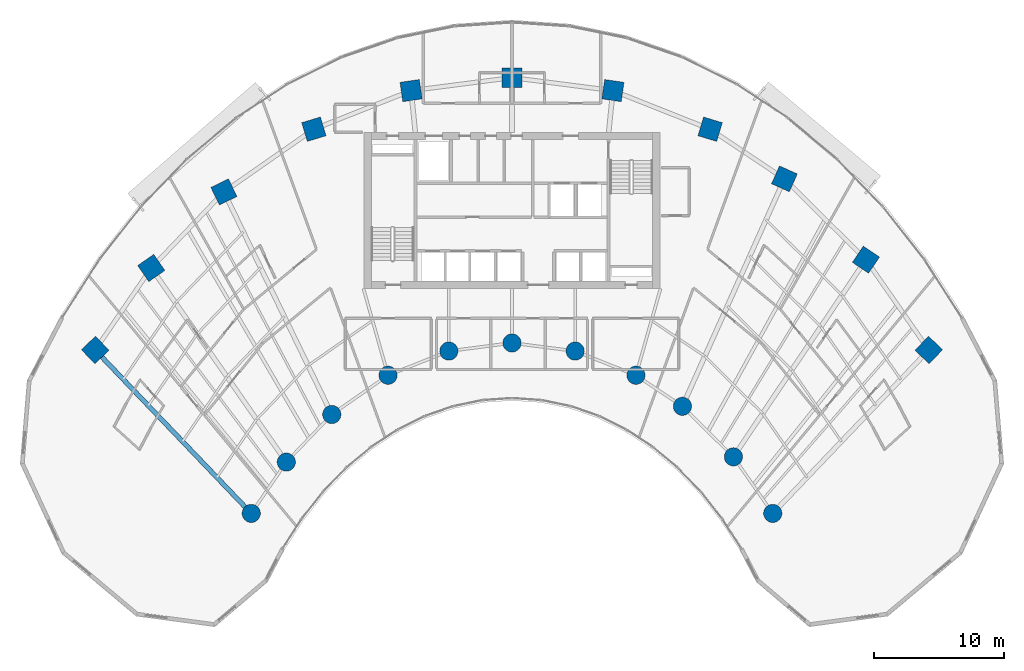
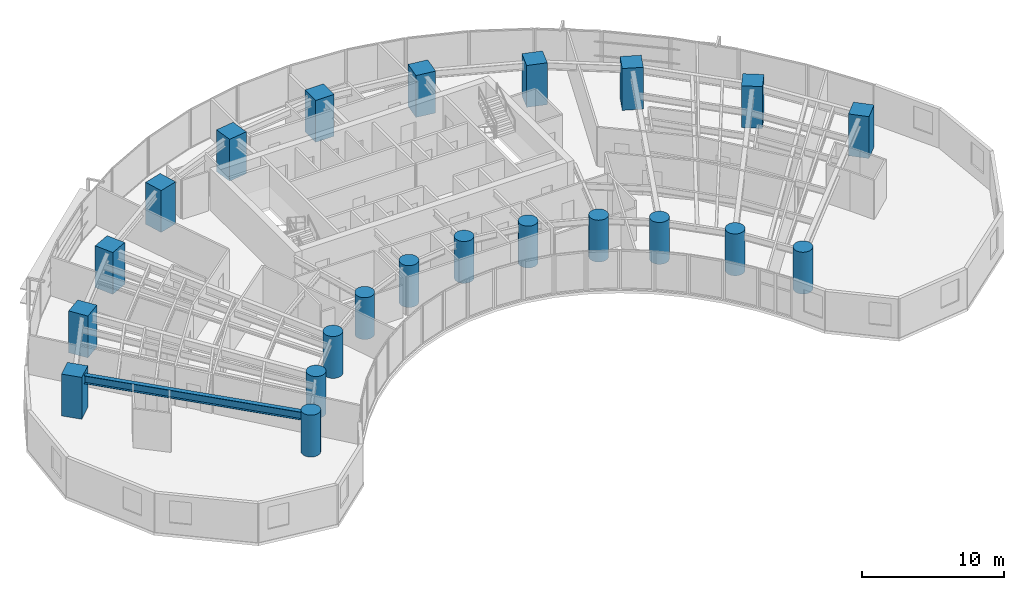
# One storey, part 1 of 17: 22 columns, 1 beam.
"""IFC4 building model written with IfcOpenShell, lengths in metres."""

from ifc_helpers import new_model, si_unit, direction, frame, origin, origin_2d, place, context, subcontext, project, spatial, rectangle, circle, i_section, extrude, source, transform, mapped, material, material_profile, profile_set, type_object, type_shapes, element, save


model = new_model("IFC4")

# Units and contexts
model_context = context("Model", 3, precision=1e-05, world=origin(), true_north=direction((0.0, 1.0)))
body_context = subcontext(model_context, "Body", "Model", "MODEL_VIEW")
ifc_project = project(units=[si_unit("LENGTHUNIT", "METRE"), si_unit("AREAUNIT", "SQUARE_METRE"), si_unit("VOLUMEUNIT", "CUBIC_METRE"), si_unit("PLANEANGLEUNIT", "RADIAN"), si_unit("MASSUNIT", "GRAM", prefix="KILO")], contexts=[model_context])

# Site, building, storey
site_placement = place(None, origin())
site = spatial("IfcSite", under=ifc_project, at=site_placement, CompositionType="ELEMENT")
building_placement = place(site_placement, origin())
building = spatial("IfcBuilding", under=site, at=building_placement, Name="Breltana Convention Tower", CompositionType="ELEMENT")
storey_placement = place(building_placement, frame((0.0, 0.0, 53.39990234375)))
storey = spatial("IfcBuildingStorey", under=building, at=storey_placement, Name="L11", CompositionType="ELEMENT", Elevation=53.39990234375)

# Columns
ifc_material_1 = material(Name="Concrete C60/75", Category="concrete")
ifc_material_profile_1 = material_profile(ifc_material_1, circle(Radius=0.699951171875, at=origin_2d()), Name="RC-COL-D1400")
ifc_profile_set_1 = profile_set([ifc_material_profile_1], Name="Concrete C60/75")
column_type_1 = type_object("IfcColumnType", Name="COL-RC-D1400", PredefinedType="COLUMN", material=ifc_profile_set_1)
shared_shape_1 = source(origin(), body_context, "Body", "SweptSolid", [
    extrude(circle(Radius=0.699951171875, at=origin_2d()), origin(), (0.0, 0.0, 1.0), 3.60009765625),
])
for number, where, z_axis, x_axis, name in (
    (1, (27.984619140625, 42.95458984375, 0.0), (0.0, 0.0, 1.0), (-0.690756218984, 0.723087716626, 0.0), "L11 Tower Column R01-IN"),
    (2, (30.67724609375, 46.892333984375, 0.0), (0.0, 0.0, 1.0), (-0.571143442153, 0.820850271661, 0.0), "L11 Tower Column R02-IN"),
    (3, (34.166259765625, 50.544921875, 0.0), (0.0, 0.0, 1.0), (-0.436173672171, 0.899862504889, 0.0), "L11 Tower Column R03-IN"),
    (4, (38.485107421875, 53.5576171875, 0.0), (0.0, 0.0, 1.0), (-0.288697611798, 0.957420330337, 0.0), "L11 Tower Column R04-IN"),
    (5, (43.153564453125, 55.41064453125, 0.0), (0.0, 0.0, 1.0), (-0.143492621991, 0.98965138682, 0.0), "L11 Tower Column R05-IN"),
    (6, (48.0, 56.035888671875, 0.0), (0.0, 0.0, 1.0), (0.0, 1.0, 0.0), "L11 Tower Column R06-IN"),
    (7, (52.846435546875, 55.41064453125, 0.0), (0.0, 0.0, 1.0), (0.143492621991, 0.98965138682, 0.0), "L11 Tower Column R07-IN"),
    (8, (57.514892578125, 53.5576171875, 0.0), (0.0, 0.0, 1.0), (0.288697611798, 0.957420330337, 0.0), "L11 Tower Column R08-IN"),
    (9, (61.08203125, 51.174560546875, 0.0), (0.0, 0.0, 1.0), (0.409126902895, 0.912477494148, 0.0), "L11 Tower Column R09-IN"),
    (10, (64.995849609375, 47.293701171875, 0.0), (0.0, 0.0, 1.0), (0.55774510898, 0.830012285095, 0.0), "L11 Tower Column R10-IN"),
    (11, (68.015380859375, 42.95458984375, 0.0), (0.0, 0.0, 1.0), (0.690756218984, 0.723087716626, 0.0), "L11 Tower Column R11-IN"),
):
    element("IfcColumn", number, at=place(storey_placement, frame(where, z_axis=z_axis, x_axis=x_axis)), inside=storey, type_object=column_type_1, Name=name, PredefinedType="COLUMN", context=body_context, shape_type="MappedRepresentation", body=[
        mapped(shared_shape_1, transform((0.0, 0.0, 0.0), scale=1.0)),
    ])
ifc_material_profile_2 = material_profile(ifc_material_1, rectangle(XDim=1.5, YDim=1.5, at=origin_2d()), Name="RC-COL-1500X1500")
ifc_profile_set_2 = profile_set([ifc_material_profile_2], Name="Concrete C60/75")
column_type_2 = type_object("IfcColumnType", Name="COL-RC-1500", PredefinedType="COLUMN", material=ifc_profile_set_2)
shared_shape_2 = source(origin(), body_context, "Body", "SweptSolid", [
    extrude(rectangle(XDim=1.5, YDim=1.5, at=origin_2d()), origin(), (0.0, 0.0, 1.0), 3.60009765625),
])
for number, where, z_axis, x_axis, name in (
    (12, (16.0068359375, 55.494384765625, 0.0), (0.0, 0.0, 1.0), (-0.690756218984, 0.723087716626, 0.0), "L11 Tower Column R01-OUT"),
    (13, (20.310791015625, 61.78857421875, 0.0), (0.0, 0.0, 1.0), (-0.571143442153, 0.820850271661, 0.0), "L11 Tower Column R02-OUT"),
    (14, (25.8876953125, 67.626953125, 0.0), (0.0, 0.0, 1.0), (-0.436173672171, 0.899862504889, 0.0), "L11 Tower Column R03-OUT"),
    (15, (32.791015625, 72.4423828125, 0.0), (0.0, 0.0, 1.0), (-0.288697611798, 0.957420330337, 0.0), "L11 Tower Column R04-OUT"),
    (16, (40.253173828125, 75.404296875, 0.0), (0.0, 0.0, 1.0), (-0.143492621991, 0.98965138682, 0.0), "L11 Tower Column R05-OUT"),
    (17, (48.0, 76.404052734375, 0.0), (0.0, 0.0, 1.0), (0.0, 1.0, 0.0), "L11 Tower Column R06-OUT"),
    (18, (55.746826171875, 75.404296875, 0.0), (0.0, 0.0, 1.0), (0.143492621991, 0.98965138682, 0.0), "L11 Tower Column R07-OUT"),
    (19, (63.208984375, 72.4423828125, 0.0), (0.0, 0.0, 1.0), (0.288697611798, 0.957420330337, 0.0), "L11 Tower Column R08-OUT"),
    (20, (68.910400390625, 68.63330078125, 0.0), (0.0, 0.0, 1.0), (0.409126902895, 0.912477494148, 0.0), "L11 Tower Column R09-OUT"),
    (21, (75.166748046875, 62.43017578125, 0.0), (0.0, 0.0, 1.0), (0.55774510898, 0.830012285095, 0.0), "L11 Tower Column R10-OUT"),
    (22, (79.9931640625, 55.494384765625, 0.0), (0.0, 0.0, 1.0), (0.690756218984, 0.723087716626, 0.0), "L11 Tower Column R11-OUT"),
):
    element("IfcColumn", number, at=place(storey_placement, frame(where, z_axis=z_axis, x_axis=x_axis)), inside=storey, type_object=column_type_2, Name=name, PredefinedType="COLUMN", context=body_context, shape_type="MappedRepresentation", body=[
        mapped(shared_shape_2, transform((0.0, 0.0, 0.0), scale=1.0)),
    ])

# Beam
ifc_material_2 = material(Name="Steel ASTM A992 Grade 50", Category="steel")
ifc_material_profile_3 = material_profile(ifc_material_2, i_section(OverallWidth=0.35498046875, OverallDepth=0.696044921875, WebThickness=0.015380859375, FlangeThickness=0.02490234375, at=origin_2d()), Name="W27X146")
ifc_profile_set_3 = profile_set([ifc_material_profile_3], Name="Steel ASTM A992 Grade 50")
beam_type = type_object("IfcBeamType", Name="BM-RG-W27X146", PredefinedType="USERDEFINED", material=ifc_profile_set_3)
shared_shape_3 = source(origin(), body_context, "Body", "SweptSolid", [
    extrude(i_section(OverallWidth=0.35498046875, OverallDepth=0.696044921875, WebThickness=0.015380859375, FlangeThickness=0.02490234375, at=origin_2d()), origin(), (0.0, 0.0, 1.0), 17.341064453125),
])
type_shapes(beam_type, [shared_shape_3])
beam_placement = place(storey_placement, frame((27.984619140625, 42.95458984375, 3.01220703125), z_axis=(-0.690716462293, 0.723125693581, 0.0), x_axis=(-0.723125693581, -0.690716462293, 0.0)))
element("IfcBeam", 23, at=beam_placement, inside=storey, type_object=beam_type, Name="L11 Radial Floor Girder R01", ObjectType="GIRDER", PredefinedType="USERDEFINED", context=body_context, shape_type="MappedRepresentation", body=[
    mapped(shared_shape_3, transform((0.0, 0.0, 0.0), scale=1.0)),
])

save(model, "model.ifc")
